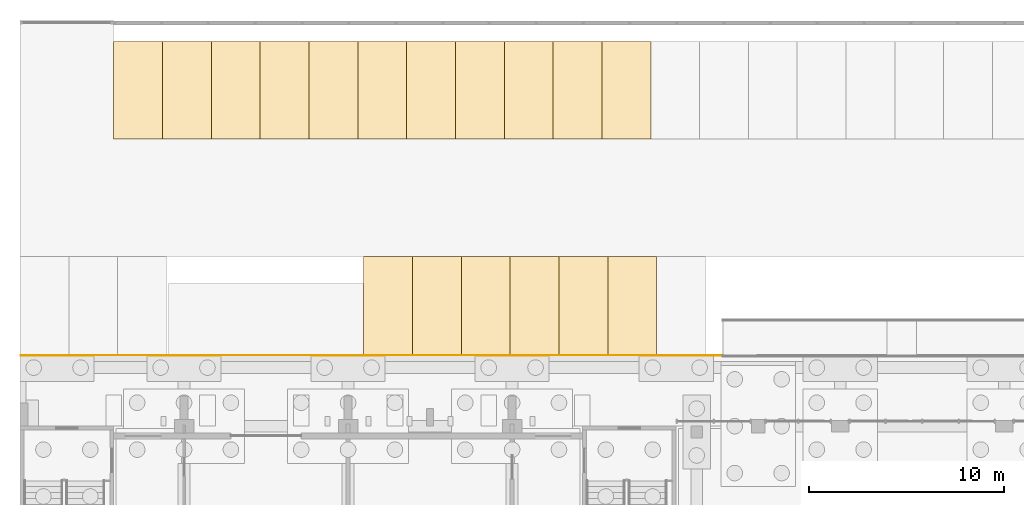
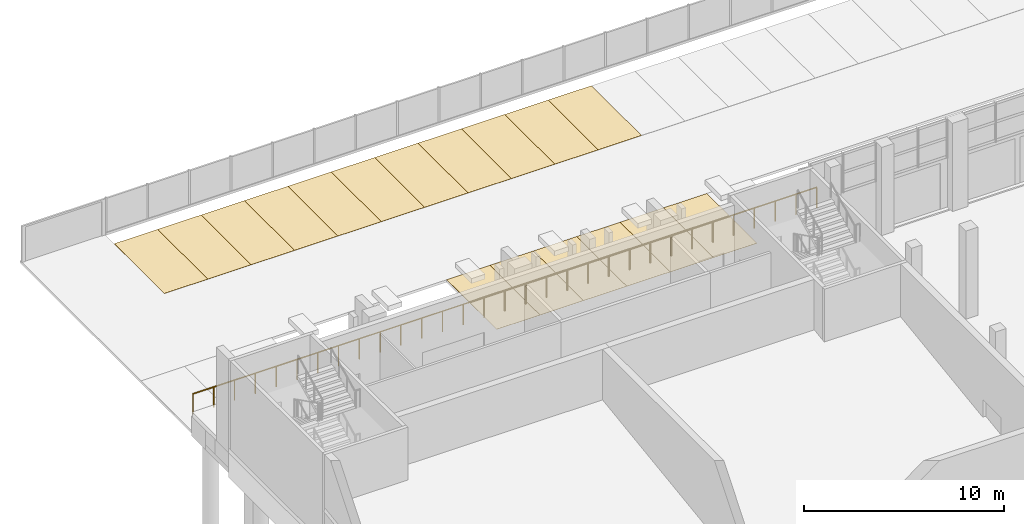
# One storey, part 117 of 129: 17 coverings, 1 railing.
"""IFC4 building model written with IfcOpenShell, lengths in metres."""

import ifcopenshell
import ifcopenshell.guid

model = None  # the IFC model being written
_history = None  # IfcOwnerHistory: only IFC2X3 demands one
_inside = {}  # id of a spatial element -> (the spatial element, [elements in it])
_under = {}  # id of a project, library or spatial element -> (it, [spatial elements below it])
_declared = {}  # id of a project -> (the project, [libraries it declares])
_typed = {}  # id of a type object -> (the type object, [elements of that type])
_made_of = {}  # id of a material, layer set ... -> (it, [elements and type objects made of it])


def new_model(schema):
    """Start an empty IFC model of exactly this schema.

    Asked for "IFC4X3", IfcOpenShell would pick the latest addendum, in which some entities
    have other attributes; the version numbers below select the first issue.
    IFC2X3 requires an IfcOwnerHistory on every rooted entity: one is made here for all.
    """
    global model, _history
    if schema == "IFC4X3":
        model = ifcopenshell.file(schema_version=(4, 3, 0, 0))
    else:
        model = ifcopenshell.file(schema=schema)
    _inside.clear()
    _under.clear()
    _declared.clear()
    _typed.clear()
    _made_of.clear()
    _history = None
    if model.schema == "IFC2X3":
        org = make("IfcOrganization", Name="unknown")
        user = make(
            "IfcPersonAndOrganization",
            ThePerson=make("IfcPerson", FamilyName="unknown"),
            TheOrganization=org,
        )
        app = make(
            "IfcApplication",
            ApplicationDeveloper=org,
            Version="unknown",
            ApplicationFullName="unknown",
            ApplicationIdentifier="unknown",
        )
        _history = make(
            "IfcOwnerHistory",
            OwningUser=user,
            OwningApplication=app,
            ChangeAction="ADDED",
            CreationDate=0,
        )
    return model


def make(cls, **values):
    """One entity of the class cls with the attributes given. An attribute that is None is left unset."""
    return model.create_entity(
        cls, **{name: value for name, value in values.items() if value is not None}
    )


def rooted(cls, **values):
    """An entity with a GlobalId (a new one), such as an element, a storey or a relation."""
    return make(cls, GlobalId=ifcopenshell.guid.new(), OwnerHistory=_history, **values)


def si_unit(unit_type, name, prefix=None):
    """IfcSIUnit, for example si_unit("LENGTHUNIT", "METRE", prefix="MILLI")."""
    return make("IfcSIUnit", UnitType=unit_type, Prefix=prefix, Name=name)


def assignment(units):
    """IfcUnitAssignment: the units of a project."""
    return None if units is None else make("IfcUnitAssignment", Units=units)


def point(xyz):
    """IfcCartesianPoint."""
    return None if xyz is None else make("IfcCartesianPoint", Coordinates=xyz)


def direction(xyz):
    """IfcDirection."""
    return None if xyz is None else make("IfcDirection", DirectionRatios=xyz)


def frame(location, z_axis=None, x_axis=None):
    """IfcAxis2Placement3D, a coordinate frame: its origin and axes. An axis left out is left unset."""
    return make(
        "IfcAxis2Placement3D",
        Location=point(location),
        Axis=direction(z_axis),
        RefDirection=direction(x_axis),
    )


def frame_2d(location, x_axis=None):
    """IfcAxis2Placement2D, a coordinate frame in the plane: its origin and x axis."""
    return make(
        "IfcAxis2Placement2D", Location=point(location), RefDirection=direction(x_axis)
    )


def origin():
    """The frame at (0, 0, 0) with its axes left unset."""
    return frame((0.0, 0.0, 0.0))


def origin_2d():
    """The frame at (0, 0) in the plane with its x axis left unset."""
    return frame_2d((0.0, 0.0))


def place(relative_to, where):
    """IfcLocalPlacement: puts the frame where relative to a parent placement (None: the world)."""
    return make(
        "IfcLocalPlacement", PlacementRelTo=relative_to, RelativePlacement=where
    )


def context(
    kind, dimensions, precision=None, world=None, true_north=None, identifier=None
):
    """IfcGeometricRepresentationContext, for example the 3D "Model" context."""
    return make(
        "IfcGeometricRepresentationContext",
        ContextIdentifier=identifier,
        ContextType=kind,
        CoordinateSpaceDimension=dimensions,
        Precision=precision,
        WorldCoordinateSystem=world,
        TrueNorth=true_north,
    )


def subcontext(parent, identifier, kind, view, scale=None):
    """IfcGeometricRepresentationSubContext, for example "Body" below "Model"."""
    return make(
        "IfcGeometricRepresentationSubContext",
        ContextIdentifier=identifier,
        ContextType=kind,
        ParentContext=parent,
        TargetScale=scale,
        TargetView=view,
    )


def project(units=None, contexts=None):
    """IfcProject with its units and contexts."""
    return rooted(
        "IfcProject",
        Name="project",
        RepresentationContexts=contexts,
        UnitsInContext=assignment(units),
    )


def spatial(cls, under=None, at=None, **own):
    """A site, building, storey or space (cls), placed at a placement, below another one or the project."""
    s = rooted(cls, ObjectPlacement=at, **own)
    if under is not None:
        _under.setdefault(under.id(), (under, []))[1].append(s)
    return s


def polyline(points):
    """IfcPolyline through the points."""
    return make("IfcPolyline", Points=[point(p) for p in points])


def profile(cls, at=None, kind="AREA", **sizes):
    """A parametric profile (cls). Its sizes go by their IFC names, for example OverallWidth=200.0."""
    return make(cls, ProfileType=kind, Position=at, **sizes)


def circle(**sizes):
    """IfcCircleProfileDef."""
    return profile("IfcCircleProfileDef", **sizes)


def outline(outer, holes=None, kind="AREA"):
    """IfcArbitraryClosedProfileDef: a profile drawn as a closed curve; with holes, ...WithVoids."""
    if holes is None:
        return make("IfcArbitraryClosedProfileDef", ProfileType=kind, OuterCurve=outer)
    return make(
        "IfcArbitraryProfileDefWithVoids",
        ProfileType=kind,
        OuterCurve=outer,
        InnerCurves=holes,
    )


def extrude(swept, where, along, depth):
    """IfcExtrudedAreaSolid: the profile swept, set in the frame where, extruded along a direction by depth."""
    return make(
        "IfcExtrudedAreaSolid",
        SweptArea=swept,
        Position=where,
        ExtrudedDirection=direction(along),
        Depth=depth,
    )


def shape(context_of_items, identifier, shape_type, items):
    """IfcShapeRepresentation: the items that make up one representation, for example the "Body"."""
    return make(
        "IfcShapeRepresentation",
        ContextOfItems=context_of_items,
        RepresentationIdentifier=identifier,
        RepresentationType=shape_type,
        Items=items,
    )


def material(Name=None, Category=None):
    """IfcMaterial."""
    return make("IfcMaterial", Name=Name, Category=Category)


def layer(
    of_material, thickness, ventilated=None, Name=None, Category=None, Priority=None
):
    """IfcMaterialLayer: one layer of a wall or slab, of a material (None: an air gap)."""
    return make(
        "IfcMaterialLayer",
        Material=of_material,
        LayerThickness=thickness,
        IsVentilated=ventilated,
        Name=Name,
        Category=Category,
        Priority=Priority,
    )


def layer_set(layers, Name=None):
    """IfcMaterialLayerSet."""
    return make("IfcMaterialLayerSet", MaterialLayers=layers, LayerSetName=Name)


def made_of(thing, what):
    """Note that an element or type object is made of a material, layer set ...; save() writes the relation."""
    if what is not None:
        _made_of.setdefault(what.id(), (what, []))[1].append(thing)
    return thing


def type_object(cls, material=None, **own):
    """A type object (cls), such as IfcWallType, which elements share."""
    return made_of(rooted(cls, **own), material)


def element(
    cls,
    number,
    at=None,
    inside=None,
    cuts=None,
    type_object=None,
    material=None,
    context=None,
    identifier="Body",
    shape_type=None,
    held_by="IfcProductDefinitionShape",
    body=None,
    shapes=None,
    **own,
):
    """One element of the class cls, such as IfcWall. Its Tag is "e" and its number.

    at: its placement. inside: the storey or other place that contains it. cuts: it is an
    opening in that element (IfcRelVoidsElement). A single representation is given by context,
    identifier, shape_type and body (its items); several are given by shapes. held_by: the class
    of the entity that holds the representations. save() writes the other relations.
    """
    e = rooted(cls, Tag="e%d" % number, ObjectPlacement=at, **own)
    if body is not None:
        shapes = [shape(context, identifier, shape_type, body)]
    if shapes is not None:
        e.Representation = make(held_by, Representations=shapes)
    if inside is not None:
        _inside.setdefault(inside.id(), (inside, []))[1].append(e)
    if cuts is not None:
        rooted(
            "IfcRelVoidsElement", RelatingBuildingElement=cuts, RelatedOpeningElement=e
        )
    if type_object is not None:
        _typed.setdefault(type_object.id(), (type_object, []))[1].append(e)
    return made_of(e, material)


def aggregate(whole, parts):
    """IfcRelAggregates: a whole, such as a stair, and the parts it consists of."""
    return rooted("IfcRelAggregates", RelatingObject=whole, RelatedObjects=parts)


def save(model, path):
    """Write the relations noted so far, then the file.

    IfcRelAggregates (storeys below a building ...), IfcRelContainedInSpatialStructure (elements
    in a storey), IfcRelDefinesByType, IfcRelAssociatesMaterial and IfcRelDeclares: one each for
    every whole, place, type object, material and project.
    """
    for whole, parts in _under.values():
        aggregate(whole, parts)
    for where, things in _inside.values():
        rooted(
            "IfcRelContainedInSpatialStructure",
            RelatedElements=things,
            RelatingStructure=where,
        )
    for kind, things in _typed.values():
        rooted("IfcRelDefinesByType", RelatedObjects=things, RelatingType=kind)
    for what, things in _made_of.values():
        rooted("IfcRelAssociatesMaterial", RelatedObjects=things, RelatingMaterial=what)
    for by, libraries in _declared.values():
        rooted("IfcRelDeclares", RelatingContext=by, RelatedDefinitions=libraries)
    model.write(path)


model = new_model("IFC4")

# Units and contexts
model_context = context("Model", 3, precision=1e-05, world=origin(), true_north=direction((0.0, 1.0)))
body_context = subcontext(model_context, "Body", "Model", "MODEL_VIEW")
ifc_project = project(units=[si_unit("LENGTHUNIT", "METRE"), si_unit("AREAUNIT", "SQUARE_METRE"), si_unit("VOLUMEUNIT", "CUBIC_METRE"), si_unit("PLANEANGLEUNIT", "RADIAN"), si_unit("MASSUNIT", "GRAM", prefix="KILO")], contexts=[model_context])

# Site, building, storey
site_placement = place(None, origin())
site = spatial("IfcSite", under=ifc_project, at=site_placement, CompositionType="ELEMENT")
building_placement = place(site_placement, origin())
building = spatial("IfcBuilding", under=site, at=building_placement, Name="Kiln Court Media Centre", CompositionType="ELEMENT")
storey_placement = place(building_placement, origin())
storey = spatial("IfcBuildingStorey", under=building, at=storey_placement, Name="L00", CompositionType="ELEMENT", Elevation=0.0)

# Railing
ifc_material_1 = material(Name="Steel ASTM A572 Gr 50", Category="steel")
railing_type = type_object("IfcRailingType", Name="Steel guard rail 1100", PredefinedType="GUARDRAIL", material=ifc_material_1)
railing_placement = place(storey_placement, frame((0.050048828125, 70.821044921875, -0.14990234375)))
element("IfcRailing", 1, at=railing_placement, inside=storey, type_object=railing_type, Name="Deck edge guard 5", PredefinedType="GUARDRAIL", context=body_context, shape_type="SweptSolid", body=[
    extrude(circle(Radius=0.02392578125, at=origin_2d()), frame((0.0, 0.0, 1.22607421875), z_axis=(1.0, 0.0, 0.0), x_axis=(0.0, 1.0, 0.0)), (0.0, 0.0, 1.0), 35.949951171875),
    extrude(circle(Radius=0.02099609375, at=origin_2d()), origin(), (0.0, 0.0, 1.0), 1.201904296875),
    extrude(circle(Radius=0.02099609375, at=origin_2d()), frame((1.1982421875, 0.0, 0.0)), (0.0, 0.0, 1.0), 1.201904296875),
    extrude(circle(Radius=0.02099609375, at=origin_2d()), frame((2.396728515625, 0.0, 0.0)), (0.0, 0.0, 1.0), 1.201904296875),
    extrude(circle(Radius=0.02099609375, at=origin_2d()), frame((3.594970703125, 0.0, 0.0)), (0.0, 0.0, 1.0), 1.201904296875),
    extrude(circle(Radius=0.02099609375, at=origin_2d()), frame((4.793212890625, 0.0, 0.0)), (0.0, 0.0, 1.0), 1.201904296875),
    extrude(circle(Radius=0.02099609375, at=origin_2d()), frame((5.99169921875, 0.0, 0.0)), (0.0, 0.0, 1.0), 1.201904296875),
    extrude(circle(Radius=0.02099609375, at=origin_2d()), frame((7.18994140625, 0.0, 0.0)), (0.0, 0.0, 1.0), 1.201904296875),
    extrude(circle(Radius=0.02099609375, at=origin_2d()), frame((8.388427734375, 0.0, 0.0)), (0.0, 0.0, 1.0), 1.201904296875),
    extrude(circle(Radius=0.02099609375, at=origin_2d()), frame((9.586669921875, 0.0, 0.0)), (0.0, 0.0, 1.0), 1.201904296875),
    extrude(circle(Radius=0.02099609375, at=origin_2d()), frame((10.784912109375, 0.0, 0.0)), (0.0, 0.0, 1.0), 1.201904296875),
    extrude(circle(Radius=0.02099609375, at=origin_2d()), frame((11.9833984375, 0.0, 0.0)), (0.0, 0.0, 1.0), 1.201904296875),
    extrude(circle(Radius=0.02099609375, at=origin_2d()), frame((13.181640625, 0.0, 0.0)), (0.0, 0.0, 1.0), 1.201904296875),
    extrude(circle(Radius=0.02099609375, at=origin_2d()), frame((14.3798828125, 0.0, 0.0)), (0.0, 0.0, 1.0), 1.201904296875),
    extrude(circle(Radius=0.02099609375, at=origin_2d()), frame((15.578369140625, 0.0, 0.0)), (0.0, 0.0, 1.0), 1.201904296875),
    extrude(circle(Radius=0.02099609375, at=origin_2d()), frame((16.776611328125, 0.0, 0.0)), (0.0, 0.0, 1.0), 1.201904296875),
    extrude(circle(Radius=0.02099609375, at=origin_2d()), frame((17.97509765625, 0.0, 0.0)), (0.0, 0.0, 1.0), 1.201904296875),
    extrude(circle(Radius=0.02099609375, at=origin_2d()), frame((19.17333984375, 0.0, 0.0)), (0.0, 0.0, 1.0), 1.201904296875),
    extrude(circle(Radius=0.02099609375, at=origin_2d()), frame((20.37158203125, 0.0, 0.0)), (0.0, 0.0, 1.0), 1.201904296875),
    extrude(circle(Radius=0.02099609375, at=origin_2d()), frame((21.570068359375, 0.0, 0.0)), (0.0, 0.0, 1.0), 1.201904296875),
    extrude(circle(Radius=0.02099609375, at=origin_2d()), frame((22.768310546875, 0.0, 0.0)), (0.0, 0.0, 1.0), 1.201904296875),
    extrude(circle(Radius=0.02099609375, at=origin_2d()), frame((23.966552734375, 0.0, 0.0)), (0.0, 0.0, 1.0), 1.201904296875),
    extrude(circle(Radius=0.02099609375, at=origin_2d()), frame((25.1650390625, 0.0, 0.0)), (0.0, 0.0, 1.0), 1.201904296875),
    extrude(circle(Radius=0.02099609375, at=origin_2d()), frame((26.36328125, 0.0, 0.0)), (0.0, 0.0, 1.0), 1.201904296875),
    extrude(circle(Radius=0.02099609375, at=origin_2d()), frame((27.5615234375, 0.0, 0.0)), (0.0, 0.0, 1.0), 1.201904296875),
    extrude(circle(Radius=0.02099609375, at=origin_2d()), frame((28.760009765625, 0.0, 0.0)), (0.0, 0.0, 1.0), 1.201904296875),
    extrude(circle(Radius=0.02099609375, at=origin_2d()), frame((29.958251953125, 0.0, 0.0)), (0.0, 0.0, 1.0), 1.201904296875),
    extrude(circle(Radius=0.02099609375, at=origin_2d()), frame((31.15673828125, 0.0, 0.0)), (0.0, 0.0, 1.0), 1.201904296875),
    extrude(circle(Radius=0.02099609375, at=origin_2d()), frame((32.35498046875, 0.0, 0.0)), (0.0, 0.0, 1.0), 1.201904296875),
    extrude(circle(Radius=0.02099609375, at=origin_2d()), frame((33.55322265625, 0.0, 0.0)), (0.0, 0.0, 1.0), 1.201904296875),
    extrude(circle(Radius=0.02099609375, at=origin_2d()), frame((34.751708984375, 0.0, 0.0)), (0.0, 0.0, 1.0), 1.201904296875),
    extrude(circle(Radius=0.02099609375, at=origin_2d()), frame((35.949951171875, 0.0, 0.0)), (0.0, 0.0, 1.0), 1.201904296875),
])

# Coverings
ifc_material_2 = material(Name="Thermoplastic road marking", Category="coating")
ifc_layer = layer(ifc_material_2, 0.010009765625)
ifc_layer_set = layer_set([ifc_layer], Name="Thermoplastic standard car bay marking 2500x5000")
covering_type = type_object("IfcCoveringType", Name="Thermoplastic standard car bay marking 2500x5000", PredefinedType="FLOORING", material=ifc_layer_set)
covering_1_placement = place(storey_placement, frame((0.0, 0.0, -1.199951171875)))
element("IfcCovering", 2, at=covering_1_placement, inside=storey, type_object=covering_type, Name="Car bay P001", PredefinedType="FLOORING", context=body_context, shape_type="SweptSolid", body=[
    extrude(outline(polyline([(4.800048828125, 81.89990234375), (7.300048828125, 81.89990234375), (7.300048828125, 86.89990234375), (4.800048828125, 86.89990234375), (4.800048828125, 81.89990234375)])), origin(), (0.0, 0.0, 1.0), 0.010009765625),
])
covering_2_placement = place(storey_placement, frame((0.0, 0.0, -1.199951171875)))
element("IfcCovering", 3, at=covering_2_placement, inside=storey, type_object=covering_type, Name="Car bay P002", PredefinedType="FLOORING", context=body_context, shape_type="SweptSolid", body=[
    extrude(outline(polyline([(7.300048828125, 81.89990234375), (9.800048828125, 81.89990234375), (9.800048828125, 86.89990234375), (7.300048828125, 86.89990234375), (7.300048828125, 81.89990234375)])), origin(), (0.0, 0.0, 1.0), 0.010009765625),
])
covering_3_placement = place(storey_placement, frame((0.0, 0.0, -1.199951171875)))
element("IfcCovering", 4, at=covering_3_placement, inside=storey, type_object=covering_type, Name="Car bay P003", PredefinedType="FLOORING", context=body_context, shape_type="SweptSolid", body=[
    extrude(outline(polyline([(9.800048828125, 81.89990234375), (12.300048828125, 81.89990234375), (12.300048828125, 86.89990234375), (9.800048828125, 86.89990234375), (9.800048828125, 81.89990234375)])), origin(), (0.0, 0.0, 1.0), 0.010009765625),
])
covering_4_placement = place(storey_placement, frame((0.0, 0.0, -1.199951171875)))
element("IfcCovering", 5, at=covering_4_placement, inside=storey, type_object=covering_type, Name="Car bay P004", PredefinedType="FLOORING", context=body_context, shape_type="SweptSolid", body=[
    extrude(outline(polyline([(12.300048828125, 81.89990234375), (14.800048828125, 81.89990234375), (14.800048828125, 86.89990234375), (12.300048828125, 86.89990234375), (12.300048828125, 81.89990234375)])), origin(), (0.0, 0.0, 1.0), 0.010009765625),
])
covering_5_placement = place(storey_placement, frame((0.0, 0.0, -1.199951171875)))
element("IfcCovering", 6, at=covering_5_placement, inside=storey, type_object=covering_type, Name="Car bay P005", PredefinedType="FLOORING", context=body_context, shape_type="SweptSolid", body=[
    extrude(outline(polyline([(14.800048828125, 81.89990234375), (17.300048828125, 81.89990234375), (17.300048828125, 86.89990234375), (14.800048828125, 86.89990234375), (14.800048828125, 81.89990234375)])), origin(), (0.0, 0.0, 1.0), 0.010009765625),
])
covering_6_placement = place(storey_placement, frame((0.0, 0.0, -1.199951171875)))
element("IfcCovering", 7, at=covering_6_placement, inside=storey, type_object=covering_type, Name="Car bay P006", PredefinedType="FLOORING", context=body_context, shape_type="SweptSolid", body=[
    extrude(outline(polyline([(17.300048828125, 81.89990234375), (19.800048828125, 81.89990234375), (19.800048828125, 86.89990234375), (17.300048828125, 86.89990234375), (17.300048828125, 81.89990234375)])), origin(), (0.0, 0.0, 1.0), 0.010009765625),
])
covering_7_placement = place(storey_placement, frame((0.0, 0.0, -1.199951171875)))
element("IfcCovering", 8, at=covering_7_placement, inside=storey, type_object=covering_type, Name="Car bay P007", PredefinedType="FLOORING", context=body_context, shape_type="SweptSolid", body=[
    extrude(outline(polyline([(19.800048828125, 81.89990234375), (22.300048828125, 81.89990234375), (22.300048828125, 86.89990234375), (19.800048828125, 86.89990234375), (19.800048828125, 81.89990234375)])), origin(), (0.0, 0.0, 1.0), 0.010009765625),
])
covering_8_placement = place(storey_placement, frame((0.0, 0.0, -1.199951171875)))
element("IfcCovering", 9, at=covering_8_placement, inside=storey, type_object=covering_type, Name="Car bay P008", PredefinedType="FLOORING", context=body_context, shape_type="SweptSolid", body=[
    extrude(outline(polyline([(22.300048828125, 81.89990234375), (24.800048828125, 81.89990234375), (24.800048828125, 86.89990234375), (22.300048828125, 86.89990234375), (22.300048828125, 81.89990234375)])), origin(), (0.0, 0.0, 1.0), 0.010009765625),
])
covering_9_placement = place(storey_placement, frame((0.0, 0.0, -1.199951171875)))
element("IfcCovering", 10, at=covering_9_placement, inside=storey, type_object=covering_type, Name="Car bay P009", PredefinedType="FLOORING", context=body_context, shape_type="SweptSolid", body=[
    extrude(outline(polyline([(24.800048828125, 81.89990234375), (27.300048828125, 81.89990234375), (27.300048828125, 86.89990234375), (24.800048828125, 86.89990234375), (24.800048828125, 81.89990234375)])), origin(), (0.0, 0.0, 1.0), 0.010009765625),
])
covering_10_placement = place(storey_placement, frame((0.0, 0.0, -1.199951171875)))
element("IfcCovering", 11, at=covering_10_placement, inside=storey, type_object=covering_type, Name="Car bay P010", PredefinedType="FLOORING", context=body_context, shape_type="SweptSolid", body=[
    extrude(outline(polyline([(27.300048828125, 81.89990234375), (29.800048828125, 81.89990234375), (29.800048828125, 86.89990234375), (27.300048828125, 86.89990234375), (27.300048828125, 81.89990234375)])), origin(), (0.0, 0.0, 1.0), 0.010009765625),
])
covering_11_placement = place(storey_placement, frame((0.0, 0.0, -1.199951171875)))
element("IfcCovering", 12, at=covering_11_placement, inside=storey, type_object=covering_type, Name="Car bay P011", PredefinedType="FLOORING", context=body_context, shape_type="SweptSolid", body=[
    extrude(outline(polyline([(29.800048828125, 81.89990234375), (32.300048828125, 81.89990234375), (32.300048828125, 86.89990234375), (29.800048828125, 86.89990234375), (29.800048828125, 81.89990234375)])), origin(), (0.0, 0.0, 1.0), 0.010009765625),
])
covering_12_placement = place(storey_placement, frame((0.0, 0.0, -1.199951171875)))
element("IfcCovering", 13, at=covering_12_placement, inside=storey, type_object=covering_type, Name="Car bay P067", PredefinedType="FLOORING", context=body_context, shape_type="SweptSolid", body=[
    extrude(outline(polyline([(17.60009765625, 70.89990234375), (20.10009765625, 70.89990234375), (20.10009765625, 75.89990234375), (17.60009765625, 75.89990234375), (17.60009765625, 70.89990234375)])), origin(), (0.0, 0.0, 1.0), 0.010009765625),
])
covering_13_placement = place(storey_placement, frame((0.0, 0.0, -1.199951171875)))
element("IfcCovering", 14, at=covering_13_placement, inside=storey, type_object=covering_type, Name="Car bay P068", PredefinedType="FLOORING", context=body_context, shape_type="SweptSolid", body=[
    extrude(outline(polyline([(20.10009765625, 70.89990234375), (22.60009765625, 70.89990234375), (22.60009765625, 75.89990234375), (20.10009765625, 75.89990234375), (20.10009765625, 70.89990234375)])), origin(), (0.0, 0.0, 1.0), 0.010009765625),
])
covering_14_placement = place(storey_placement, frame((0.0, 0.0, -1.199951171875)))
element("IfcCovering", 15, at=covering_14_placement, inside=storey, type_object=covering_type, Name="Car bay P069", PredefinedType="FLOORING", context=body_context, shape_type="SweptSolid", body=[
    extrude(outline(polyline([(22.60009765625, 70.89990234375), (25.10009765625, 70.89990234375), (25.10009765625, 75.89990234375), (22.60009765625, 75.89990234375), (22.60009765625, 70.89990234375)])), origin(), (0.0, 0.0, 1.0), 0.010009765625),
])
covering_15_placement = place(storey_placement, frame((0.0, 0.0, -1.199951171875)))
element("IfcCovering", 16, at=covering_15_placement, inside=storey, type_object=covering_type, Name="Car bay P070", PredefinedType="FLOORING", context=body_context, shape_type="SweptSolid", body=[
    extrude(outline(polyline([(25.10009765625, 70.89990234375), (27.60009765625, 70.89990234375), (27.60009765625, 75.89990234375), (25.10009765625, 75.89990234375), (25.10009765625, 70.89990234375)])), origin(), (0.0, 0.0, 1.0), 0.010009765625),
])
covering_16_placement = place(storey_placement, frame((0.0, 0.0, -1.199951171875)))
element("IfcCovering", 17, at=covering_16_placement, inside=storey, type_object=covering_type, Name="Car bay P071", PredefinedType="FLOORING", context=body_context, shape_type="SweptSolid", body=[
    extrude(outline(polyline([(27.60009765625, 70.89990234375), (30.10009765625, 70.89990234375), (30.10009765625, 75.89990234375), (27.60009765625, 75.89990234375), (27.60009765625, 70.89990234375)])), origin(), (0.0, 0.0, 1.0), 0.010009765625),
])
covering_17_placement = place(storey_placement, frame((0.0, 0.0, -1.199951171875)))
element("IfcCovering", 18, at=covering_17_placement, inside=storey, type_object=covering_type, Name="Car bay P072", PredefinedType="FLOORING", context=body_context, shape_type="SweptSolid", body=[
    extrude(outline(polyline([(30.10009765625, 70.89990234375), (32.60009765625, 70.89990234375), (32.60009765625, 75.89990234375), (30.10009765625, 75.89990234375), (30.10009765625, 70.89990234375)])), origin(), (0.0, 0.0, 1.0), 0.010009765625),
])

save(model, "model.ifc")
